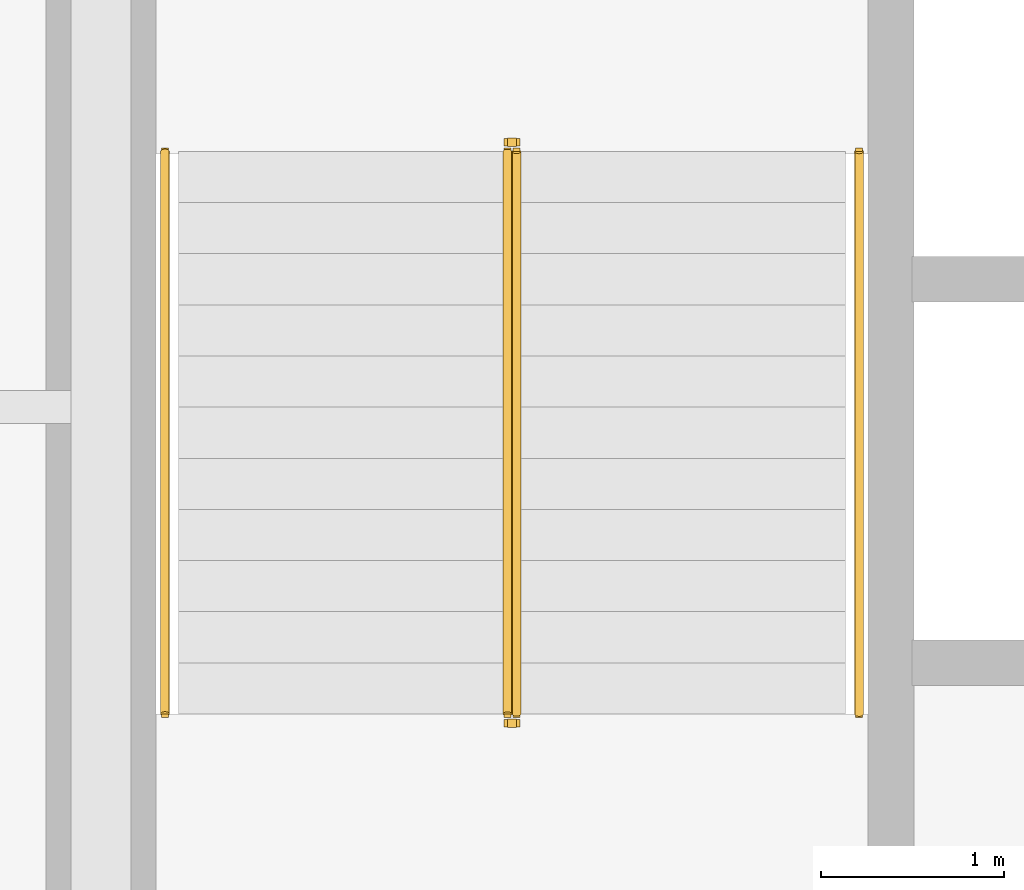
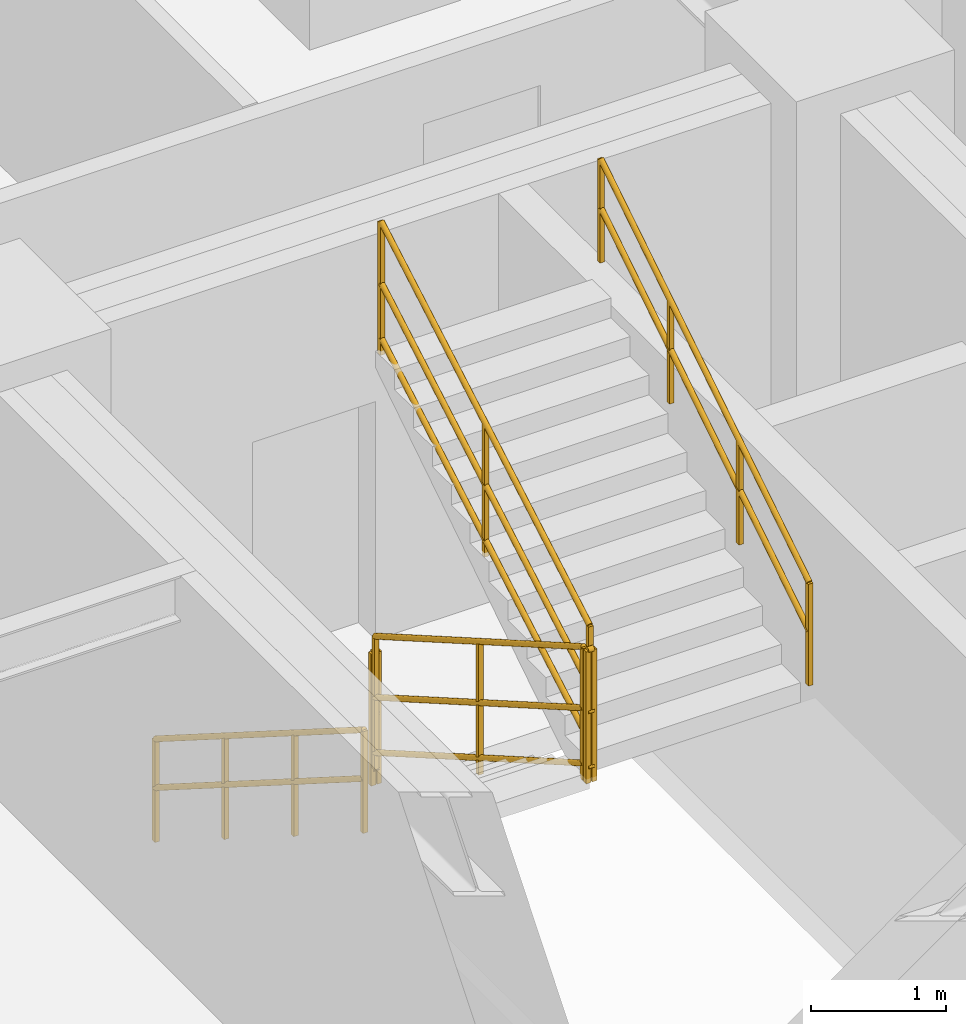
# One storey, part 9 of 9: 6 railings.
"""IFC4 building model written with IfcOpenShell, lengths in metres."""

import ifcopenshell
import ifcopenshell.guid

model = None  # the IFC model being written
_history = None  # IfcOwnerHistory: only IFC2X3 demands one
_inside = {}  # id of a spatial element -> (the spatial element, [elements in it])
_under = {}  # id of a project, library or spatial element -> (it, [spatial elements below it])
_declared = {}  # id of a project -> (the project, [libraries it declares])
_typed = {}  # id of a type object -> (the type object, [elements of that type])
_made_of = {}  # id of a material, layer set ... -> (it, [elements and type objects made of it])


def new_model(schema):
    """Start an empty IFC model of exactly this schema.

    Asked for "IFC4X3", IfcOpenShell would pick the latest addendum, in which some entities
    have other attributes; the version numbers below select the first issue.
    IFC2X3 requires an IfcOwnerHistory on every rooted entity: one is made here for all.
    """
    global model, _history
    if schema == "IFC4X3":
        model = ifcopenshell.file(schema_version=(4, 3, 0, 0))
    else:
        model = ifcopenshell.file(schema=schema)
    _inside.clear()
    _under.clear()
    _declared.clear()
    _typed.clear()
    _made_of.clear()
    _history = None
    if model.schema == "IFC2X3":
        org = make("IfcOrganization", Name="unknown")
        user = make(
            "IfcPersonAndOrganization",
            ThePerson=make("IfcPerson", FamilyName="unknown"),
            TheOrganization=org,
        )
        app = make(
            "IfcApplication",
            ApplicationDeveloper=org,
            Version="unknown",
            ApplicationFullName="unknown",
            ApplicationIdentifier="unknown",
        )
        _history = make(
            "IfcOwnerHistory",
            OwningUser=user,
            OwningApplication=app,
            ChangeAction="ADDED",
            CreationDate=0,
        )
    return model


def make(cls, **values):
    """One entity of the class cls with the attributes given. An attribute that is None is left unset."""
    return model.create_entity(
        cls, **{name: value for name, value in values.items() if value is not None}
    )


def entity(cls, *values):
    """Any entity or typed value of the class cls, its attributes in the order of the schema. None: left unset."""
    e = model.create_entity(cls)
    for i, value in enumerate(values):
        if value is not None:
            e[i] = value
    return e


def rooted(cls, **values):
    """An entity with a GlobalId (a new one), such as an element, a storey or a relation."""
    return make(cls, GlobalId=ifcopenshell.guid.new(), OwnerHistory=_history, **values)


def si_unit(unit_type, name, prefix=None):
    """IfcSIUnit, for example si_unit("LENGTHUNIT", "METRE", prefix="MILLI")."""
    return make("IfcSIUnit", UnitType=unit_type, Prefix=prefix, Name=name)


def converted_unit(unit_type, name, factor, base, dimensions=None, offset=None):
    """IfcConversionBasedUnit, such as the inch: factor (a typed value) times the base unit."""
    return make(
        "IfcConversionBasedUnit"
        if offset is None
        else "IfcConversionBasedUnitWithOffset",
        ConversionOffset=offset,
        Dimensions=None
        if dimensions is None
        else entity("IfcDimensionalExponents", *dimensions),
        UnitType=unit_type,
        Name=name,
        ConversionFactor=make(
            "IfcMeasureWithUnit", ValueComponent=factor, UnitComponent=base
        ),
    )


def assignment(units):
    """IfcUnitAssignment: the units of a project."""
    return None if units is None else make("IfcUnitAssignment", Units=units)


def point(xyz):
    """IfcCartesianPoint."""
    return None if xyz is None else make("IfcCartesianPoint", Coordinates=xyz)


def direction(xyz):
    """IfcDirection."""
    return None if xyz is None else make("IfcDirection", DirectionRatios=xyz)


def frame(location, z_axis=None, x_axis=None):
    """IfcAxis2Placement3D, a coordinate frame: its origin and axes. An axis left out is left unset."""
    return make(
        "IfcAxis2Placement3D",
        Location=point(location),
        Axis=direction(z_axis),
        RefDirection=direction(x_axis),
    )


def frame_2d(location, x_axis=None):
    """IfcAxis2Placement2D, a coordinate frame in the plane: its origin and x axis."""
    return make(
        "IfcAxis2Placement2D", Location=point(location), RefDirection=direction(x_axis)
    )


def origin_with_axes():
    """The frame at (0, 0, 0) with the z axis (0, 0, 1) and the x axis (1, 0, 0) written out."""
    return frame((0.0, 0.0, 0.0), z_axis=(0.0, 0.0, 1.0), x_axis=(1.0, 0.0, 0.0))


def origin_2d_with_axis():
    """The frame at (0, 0) in the plane with the x axis (1, 0) written out."""
    return frame_2d((0.0, 0.0), x_axis=(1.0, 0.0))


def place(relative_to, where):
    """IfcLocalPlacement: puts the frame where relative to a parent placement (None: the world)."""
    return make(
        "IfcLocalPlacement", PlacementRelTo=relative_to, RelativePlacement=where
    )


def context(
    kind, dimensions, precision=None, world=None, true_north=None, identifier=None
):
    """IfcGeometricRepresentationContext, for example the 3D "Model" context."""
    return make(
        "IfcGeometricRepresentationContext",
        ContextIdentifier=identifier,
        ContextType=kind,
        CoordinateSpaceDimension=dimensions,
        Precision=precision,
        WorldCoordinateSystem=world,
        TrueNorth=true_north,
    )


def subcontext(parent, identifier, kind, view, scale=None):
    """IfcGeometricRepresentationSubContext, for example "Body" below "Model"."""
    return make(
        "IfcGeometricRepresentationSubContext",
        ContextIdentifier=identifier,
        ContextType=kind,
        ParentContext=parent,
        TargetScale=scale,
        TargetView=view,
    )


def project(units=None, contexts=None):
    """IfcProject with its units and contexts."""
    return rooted(
        "IfcProject",
        Name="project",
        RepresentationContexts=contexts,
        UnitsInContext=assignment(units),
    )


def spatial(cls, under=None, at=None, **own):
    """A site, building, storey or space (cls), placed at a placement, below another one or the project."""
    s = rooted(cls, ObjectPlacement=at, **own)
    if under is not None:
        _under.setdefault(under.id(), (under, []))[1].append(s)
    return s


def profile(cls, at=None, kind="AREA", **sizes):
    """A parametric profile (cls). Its sizes go by their IFC names, for example OverallWidth=200.0."""
    return make(cls, ProfileType=kind, Position=at, **sizes)


def rectangle(**sizes):
    """IfcRectangleProfileDef."""
    return profile("IfcRectangleProfileDef", **sizes)


def circle(**sizes):
    """IfcCircleProfileDef."""
    return profile("IfcCircleProfileDef", **sizes)


def extrude(swept, where, along, depth):
    """IfcExtrudedAreaSolid: the profile swept, set in the frame where, extruded along a direction by depth."""
    return make(
        "IfcExtrudedAreaSolid",
        SweptArea=swept,
        Position=where,
        ExtrudedDirection=direction(along),
        Depth=depth,
    )


def shape(context_of_items, identifier, shape_type, items):
    """IfcShapeRepresentation: the items that make up one representation, for example the "Body"."""
    return make(
        "IfcShapeRepresentation",
        ContextOfItems=context_of_items,
        RepresentationIdentifier=identifier,
        RepresentationType=shape_type,
        Items=items,
    )


def material(Name=None, Category=None):
    """IfcMaterial."""
    return make("IfcMaterial", Name=Name, Category=Category)


def made_of(thing, what):
    """Note that an element or type object is made of a material, layer set ...; save() writes the relation."""
    if what is not None:
        _made_of.setdefault(what.id(), (what, []))[1].append(thing)
    return thing


def type_object(cls, material=None, **own):
    """A type object (cls), such as IfcWallType, which elements share."""
    return made_of(rooted(cls, **own), material)


def element(
    cls,
    number,
    at=None,
    inside=None,
    cuts=None,
    type_object=None,
    material=None,
    context=None,
    identifier="Body",
    shape_type=None,
    held_by="IfcProductDefinitionShape",
    body=None,
    shapes=None,
    **own,
):
    """One element of the class cls, such as IfcWall. Its Tag is "e" and its number.

    at: its placement. inside: the storey or other place that contains it. cuts: it is an
    opening in that element (IfcRelVoidsElement). A single representation is given by context,
    identifier, shape_type and body (its items); several are given by shapes. held_by: the class
    of the entity that holds the representations. save() writes the other relations.
    """
    e = rooted(cls, Tag="e%d" % number, ObjectPlacement=at, **own)
    if body is not None:
        shapes = [shape(context, identifier, shape_type, body)]
    if shapes is not None:
        e.Representation = make(held_by, Representations=shapes)
    if inside is not None:
        _inside.setdefault(inside.id(), (inside, []))[1].append(e)
    if cuts is not None:
        rooted(
            "IfcRelVoidsElement", RelatingBuildingElement=cuts, RelatedOpeningElement=e
        )
    if type_object is not None:
        _typed.setdefault(type_object.id(), (type_object, []))[1].append(e)
    return made_of(e, material)


def aggregate(whole, parts):
    """IfcRelAggregates: a whole, such as a stair, and the parts it consists of."""
    return rooted("IfcRelAggregates", RelatingObject=whole, RelatedObjects=parts)


def save(model, path):
    """Write the relations noted so far, then the file.

    IfcRelAggregates (storeys below a building ...), IfcRelContainedInSpatialStructure (elements
    in a storey), IfcRelDefinesByType, IfcRelAssociatesMaterial and IfcRelDeclares: one each for
    every whole, place, type object, material and project.
    """
    for whole, parts in _under.values():
        aggregate(whole, parts)
    for where, things in _inside.values():
        rooted(
            "IfcRelContainedInSpatialStructure",
            RelatedElements=things,
            RelatingStructure=where,
        )
    for kind, things in _typed.values():
        rooted("IfcRelDefinesByType", RelatedObjects=things, RelatingType=kind)
    for what, things in _made_of.values():
        rooted("IfcRelAssociatesMaterial", RelatedObjects=things, RelatingMaterial=what)
    for by, libraries in _declared.values():
        rooted("IfcRelDeclares", RelatingContext=by, RelatedDefinitions=libraries)
    model.write(path)


model = new_model("IFC4")

# Units and contexts
model_context = context("Model", 3, precision=1e-05, world=origin_with_axes(), true_north=direction((0.0, 1.0)))
body_context = subcontext(model_context, "Body", "Model", "MODEL_VIEW")
ifc_project = project(units=[si_unit("LENGTHUNIT", "METRE"), si_unit("AREAUNIT", "SQUARE_METRE"), si_unit("VOLUMEUNIT", "CUBIC_METRE"), converted_unit("PLANEANGLEUNIT", "DEGREE", entity("IfcPlaneAngleMeasure", 0.017453292519943295), si_unit("PLANEANGLEUNIT", "RADIAN"), dimensions=[0, 0, 0, 0, 0, 0, 0]), si_unit("MASSUNIT", "GRAM", prefix="KILO"), si_unit("THERMODYNAMICTEMPERATUREUNIT", "KELVIN")], contexts=[model_context])

# Site, building, storey
site_placement = place(None, origin_with_axes())
site = spatial("IfcSite", under=ifc_project, at=site_placement, CompositionType="ELEMENT")
building_placement = place(site_placement, origin_with_axes())
building = spatial("IfcBuilding", under=site, at=building_placement, Name="Varnlund Millrace Tower", CompositionType="ELEMENT")
storey_placement = place(building_placement, frame((0.0, 0.0, 56.1), z_axis=(0.0, 0.0, 1.0), x_axis=(1.0, 0.0, 0.0)))
storey = spatial("IfcBuildingStorey", under=building, at=storey_placement, Name="L13", CompositionType="ELEMENT", Elevation=56.1)

# Railings
ifc_material_1 = material(Name="Painted steel stair well balustrade guard", Category="steel")
railing_type_1 = type_object("IfcRailingType", Name="Type-StairGuard-1150", PredefinedType="GUARDRAIL", material=ifc_material_1)
railing_1_placement = place(storey_placement, frame((0.0, 0.0, -56.1), z_axis=(0.0, 0.0, 1.0), x_axis=(1.0, 0.0, 0.0)))
element("IfcRailing", 1, at=railing_1_placement, inside=storey, type_object=railing_type_1, Name="Type-StairGuard-1150", PredefinedType="GUARDRAIL", context=body_context, shape_type="SweptSolid", body=[
    extrude(circle(Radius=0.024, at=origin_2d_with_axis()), frame((13.625, 35.9, 57.427273), z_axis=(0.0, -0.866696, 0.498836), x_axis=(1.0, 0.0, 0.0)), (0.0, 0.0, 1.0), 3.553725),
    extrude(circle(Radius=0.024, at=origin_2d_with_axis()), frame((13.625, 35.9, 56.377273), z_axis=(0.0, -0.866696, 0.498836), x_axis=(1.0, 0.0, 0.0)), (0.0, 0.0, 1.0), 3.553725),
    extrude(circle(Radius=0.024, at=origin_2d_with_axis()), frame((13.625, 35.9, 56.875273), z_axis=(0.0, -0.866696, 0.498836), x_axis=(1.0, 0.0, 0.0)), (0.0, 0.0, 1.0), 3.553725),
    extrude(rectangle(XDim=0.04, YDim=0.04, at=origin_2d_with_axis()), frame((13.625, 35.9, 56.237273), z_axis=(0.0, 0.0, 1.0), x_axis=(1.0, 0.0, 0.0)), (0.0, 0.0, 1.0), 1.19),
    extrude(rectangle(XDim=0.04, YDim=0.04, at=origin_2d_with_axis()), frame((13.625, 34.36, 57.123636), z_axis=(0.0, 0.0, 1.0), x_axis=(1.0, 0.0, 0.0)), (0.0, 0.0, 1.0), 1.19),
    extrude(rectangle(XDim=0.04, YDim=0.04, at=origin_2d_with_axis()), frame((13.625, 32.82, 58.01), z_axis=(0.0, 0.0, 1.0), x_axis=(1.0, 0.0, 0.0)), (0.0, 0.0, 1.0), 1.19),
])
railing_2_placement = place(storey_placement, frame((0.0, 0.0, -56.1), z_axis=(0.0, 0.0, 1.0), x_axis=(1.0, 0.0, 0.0)))
element("IfcRailing", 2, at=railing_2_placement, inside=storey, type_object=railing_type_1, Name="Type-StairGuard-1150", PredefinedType="GUARDRAIL", context=body_context, shape_type="SweptSolid", body=[
    extrude(circle(Radius=0.024, at=origin_2d_with_axis()), frame((13.675, 32.77, 59.2), z_axis=(-1.0, 0.0, 0.0), x_axis=(0.0, -1.0, 0.0)), (0.0, 0.0, 1.0), 0.05),
    extrude(circle(Radius=0.024, at=origin_2d_with_axis()), frame((13.675, 32.77, 58.15), z_axis=(-1.0, 0.0, 0.0), x_axis=(0.0, -1.0, 0.0)), (0.0, 0.0, 1.0), 0.05),
    extrude(circle(Radius=0.024, at=origin_2d_with_axis()), frame((13.675, 32.77, 58.648), z_axis=(-1.0, 0.0, 0.0), x_axis=(0.0, -1.0, 0.0)), (0.0, 0.0, 1.0), 0.05),
    extrude(rectangle(XDim=0.04, YDim=0.04, at=origin_2d_with_axis()), frame((13.675, 32.77, 58.01), z_axis=(0.0, 0.0, 1.0), x_axis=(1.0, 0.0, 0.0)), (0.0, 0.0, 1.0), 1.19),
    extrude(rectangle(XDim=0.04, YDim=0.04, at=origin_2d_with_axis()), frame((13.625, 32.77, 58.01), z_axis=(0.0, 0.0, 1.0), x_axis=(1.0, 0.0, 0.0)), (0.0, 0.0, 1.0), 1.19),
])
railing_3_placement = place(storey_placement, frame((0.0, 0.0, -56.1), z_axis=(0.0, 0.0, 1.0), x_axis=(1.0, 0.0, 0.0)))
element("IfcRailing", 3, at=railing_3_placement, inside=storey, type_object=railing_type_1, Name="Type-StairGuard-1150", PredefinedType="GUARDRAIL", context=body_context, shape_type="SweptSolid", body=[
    extrude(circle(Radius=0.024, at=origin_2d_with_axis()), frame((13.675, 32.82, 59.377273), z_axis=(0.0, 0.866696, 0.498836), x_axis=(-1.0, 0.0, 0.0)), (0.0, 0.0, 1.0), 3.553725),
    extrude(circle(Radius=0.024, at=origin_2d_with_axis()), frame((13.675, 32.82, 58.327273), z_axis=(0.0, 0.866696, 0.498836), x_axis=(-1.0, 0.0, 0.0)), (0.0, 0.0, 1.0), 3.553725),
    extrude(circle(Radius=0.024, at=origin_2d_with_axis()), frame((13.675, 32.82, 58.825273), z_axis=(0.0, 0.866696, 0.498836), x_axis=(-1.0, 0.0, 0.0)), (0.0, 0.0, 1.0), 3.553725),
    extrude(rectangle(XDim=0.04, YDim=0.04, at=origin_2d_with_axis()), frame((13.675, 32.82, 58.187273), z_axis=(0.0, 0.0, 1.0), x_axis=(1.0, 0.0, 0.0)), (0.0, 0.0, 1.0), 1.19),
    extrude(rectangle(XDim=0.04, YDim=0.04, at=origin_2d_with_axis()), frame((13.675, 34.36, 59.073636), z_axis=(0.0, 0.0, 1.0), x_axis=(1.0, 0.0, 0.0)), (0.0, 0.0, 1.0), 1.19),
    extrude(rectangle(XDim=0.04, YDim=0.04, at=origin_2d_with_axis()), frame((13.675, 35.9, 59.96), z_axis=(0.0, 0.0, 1.0), x_axis=(1.0, 0.0, 0.0)), (0.0, 0.0, 1.0), 1.19),
])
railing_4_placement = place(storey_placement, frame((0.0, 0.0, -56.1), z_axis=(0.0, 0.0, 1.0), x_axis=(1.0, 0.0, 0.0)))
element("IfcRailing", 4, at=railing_4_placement, inside=storey, type_object=railing_type_1, Name="Type-StairGuard-1150", PredefinedType="GUARDRAIL", context=body_context, shape_type="SweptSolid", body=[
    extrude(circle(Radius=0.024, at=origin_2d_with_axis()), frame((13.675, 35.95, 57.25), z_axis=(-1.0, 0.0, 0.0), x_axis=(0.0, -1.0, 0.0)), (0.0, 0.0, 1.0), 0.05),
    extrude(circle(Radius=0.024, at=origin_2d_with_axis()), frame((13.675, 35.95, 56.2), z_axis=(-1.0, 0.0, 0.0), x_axis=(0.0, -1.0, 0.0)), (0.0, 0.0, 1.0), 0.05),
    extrude(circle(Radius=0.024, at=origin_2d_with_axis()), frame((13.675, 35.95, 56.698), z_axis=(-1.0, 0.0, 0.0), x_axis=(0.0, -1.0, 0.0)), (0.0, 0.0, 1.0), 0.05),
    extrude(rectangle(XDim=0.04, YDim=0.04, at=origin_2d_with_axis()), frame((13.675, 35.95, 56.06), z_axis=(0.0, 0.0, 1.0), x_axis=(1.0, 0.0, 0.0)), (0.0, 0.0, 1.0), 1.19),
    extrude(rectangle(XDim=0.04, YDim=0.04, at=origin_2d_with_axis()), frame((13.625, 35.95, 56.06), z_axis=(0.0, 0.0, 1.0), x_axis=(1.0, 0.0, 0.0)), (0.0, 0.0, 1.0), 1.19),
])
ifc_material_2 = material(Name="Brushed architectural bronze stair handrail", Category="aluminium")
railing_type_2 = type_object("IfcRailingType", Name="Type-StairHandrail-900", PredefinedType="HANDRAIL", material=ifc_material_2)
railing_5_placement = place(storey_placement, frame((0.0, 0.0, -56.1), z_axis=(0.0, 0.0, 1.0), x_axis=(1.0, 0.0, 0.0)))
element("IfcRailing", 5, at=railing_5_placement, inside=storey, type_object=railing_type_2, Name="Type-StairHandrail-900", PredefinedType="HANDRAIL", context=body_context, shape_type="SweptSolid", body=[
    extrude(circle(Radius=0.024, at=origin_2d_with_axis()), frame((11.75, 35.9, 57.156995), z_axis=(0.0, -0.844902, 0.534922), x_axis=(1.0, 0.0, 0.0)), (0.0, 0.0, 1.0), 3.645394),
    extrude(circle(Radius=0.024, at=origin_2d_with_axis()), frame((11.75, 35.9, 56.717134), z_axis=(0.0, -0.844902, 0.534922), x_axis=(1.0, 0.0, 0.0)), (0.0, 0.0, 1.0), 3.645394),
    extrude(rectangle(XDim=0.04, YDim=0.04, at=origin_2d_with_axis()), frame((11.75, 35.9, 56.237273), z_axis=(0.0, 0.0, 1.0), x_axis=(1.0, 0.0, 0.0)), (0.0, 0.0, 1.0), 0.919722),
    extrude(rectangle(XDim=0.04, YDim=0.04, at=origin_2d_with_axis()), frame((11.75, 34.873333, 56.887273), z_axis=(0.0, 0.0, 1.0), x_axis=(1.0, 0.0, 0.0)), (0.0, 0.0, 1.0), 0.919722),
    extrude(rectangle(XDim=0.04, YDim=0.04, at=origin_2d_with_axis()), frame((11.75, 33.846667, 57.537273), z_axis=(0.0, 0.0, 1.0), x_axis=(1.0, 0.0, 0.0)), (0.0, 0.0, 1.0), 0.919722),
    extrude(rectangle(XDim=0.04, YDim=0.04, at=origin_2d_with_axis()), frame((11.75, 32.82, 58.187273), z_axis=(0.0, 0.0, 1.0), x_axis=(1.0, 0.0, 0.0)), (0.0, 0.0, 1.0), 0.919722),
])
railing_6_placement = place(storey_placement, frame((0.0, 0.0, -56.1), z_axis=(0.0, 0.0, 1.0), x_axis=(1.0, 0.0, 0.0)))
element("IfcRailing", 6, at=railing_6_placement, inside=storey, type_object=railing_type_2, Name="Type-StairHandrail-900", PredefinedType="HANDRAIL", context=body_context, shape_type="SweptSolid", body=[
    extrude(circle(Radius=0.024, at=origin_2d_with_axis()), frame((15.55, 32.82, 59.106995), z_axis=(0.0, 0.844902, 0.534922), x_axis=(-1.0, 0.0, 0.0)), (0.0, 0.0, 1.0), 3.645394),
    extrude(circle(Radius=0.024, at=origin_2d_with_axis()), frame((15.55, 32.82, 58.667134), z_axis=(0.0, 0.844902, 0.534922), x_axis=(-1.0, 0.0, 0.0)), (0.0, 0.0, 1.0), 3.645394),
    extrude(rectangle(XDim=0.04, YDim=0.04, at=origin_2d_with_axis()), frame((15.55, 32.82, 58.187273), z_axis=(0.0, 0.0, 1.0), x_axis=(1.0, 0.0, 0.0)), (0.0, 0.0, 1.0), 0.919722),
    extrude(rectangle(XDim=0.04, YDim=0.04, at=origin_2d_with_axis()), frame((15.55, 33.846667, 58.837273), z_axis=(0.0, 0.0, 1.0), x_axis=(1.0, 0.0, 0.0)), (0.0, 0.0, 1.0), 0.919722),
    extrude(rectangle(XDim=0.04, YDim=0.04, at=origin_2d_with_axis()), frame((15.55, 34.873333, 59.487273), z_axis=(0.0, 0.0, 1.0), x_axis=(1.0, 0.0, 0.0)), (0.0, 0.0, 1.0), 0.919722),
    extrude(rectangle(XDim=0.04, YDim=0.04, at=origin_2d_with_axis()), frame((15.55, 35.9, 60.137273), z_axis=(0.0, 0.0, 1.0), x_axis=(1.0, 0.0, 0.0)), (0.0, 0.0, 1.0), 0.919722),
])

save(model, "model.ifc")
